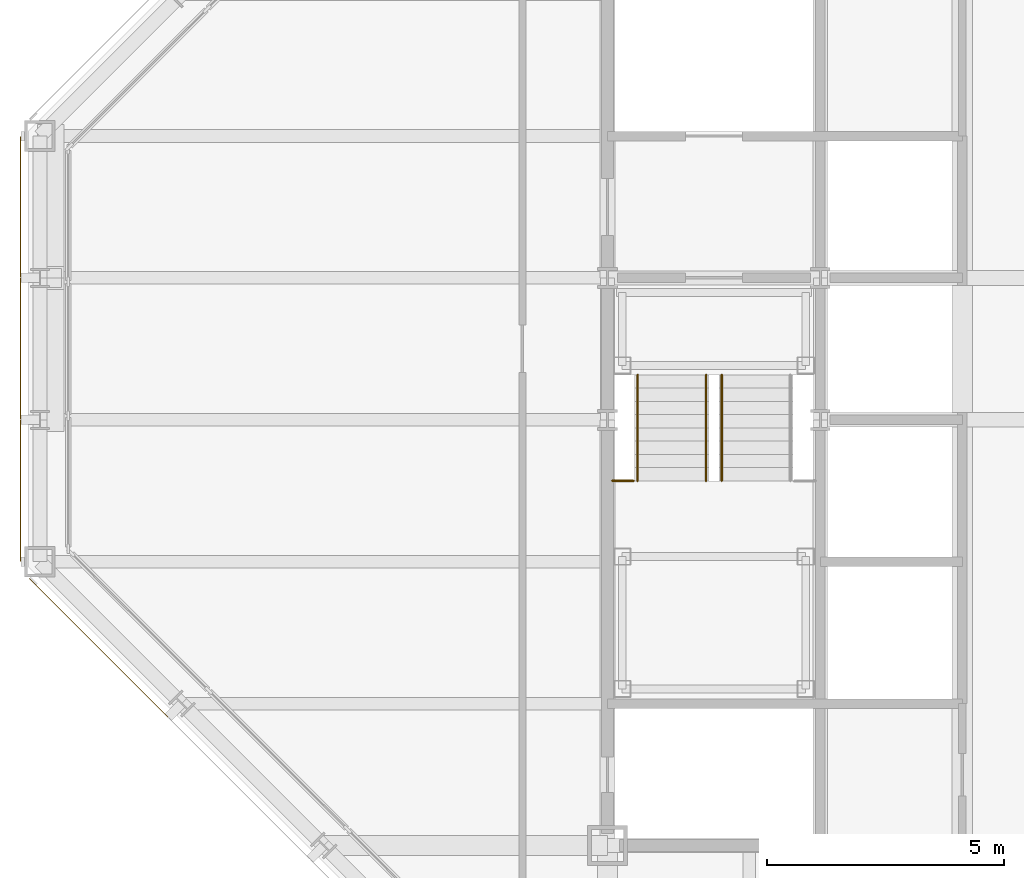
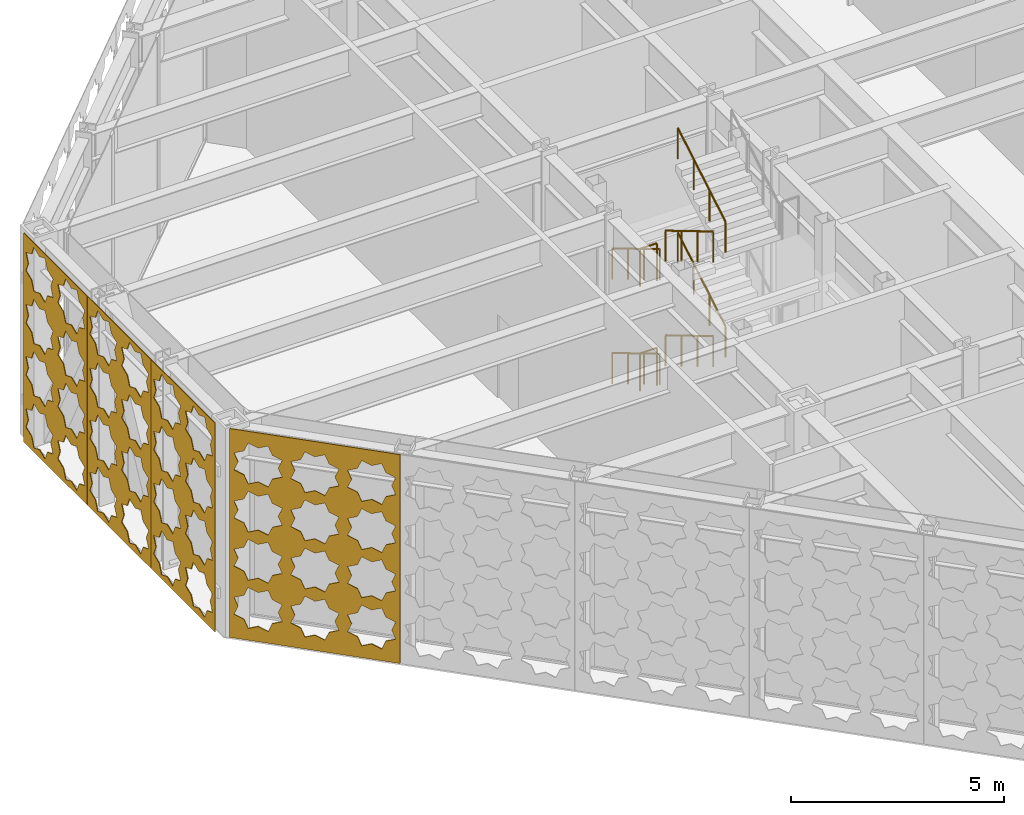
# One storey, part 22 of 28: 8 railings, 4 coverings.
"""IFC4 building model written with IfcOpenShell, lengths in metres."""

from ifc_helpers import new_model, si_unit, direction, frame, origin, origin_2d, place, context, subcontext, project, spatial, polyline, circle, outline, extrude, material, layer, layer_set, type_object, element, save


model = new_model("IFC4")

# Units and contexts
model_context = context("Model", 3, precision=1e-05, world=origin(), true_north=direction((0.0, 1.0)))
body_context = subcontext(model_context, "Body", "Model", "MODEL_VIEW")
ifc_project = project(units=[si_unit("LENGTHUNIT", "METRE"), si_unit("AREAUNIT", "SQUARE_METRE"), si_unit("VOLUMEUNIT", "CUBIC_METRE"), si_unit("PLANEANGLEUNIT", "RADIAN"), si_unit("MASSUNIT", "GRAM", prefix="KILO")], contexts=[model_context])

# Site, building, storey
site_placement = place(None, origin())
site = spatial("IfcSite", under=ifc_project, at=site_placement, CompositionType="ELEMENT")
building_placement = place(site_placement, origin())
building = spatial("IfcBuilding", under=site, at=building_placement, Name="Chuquiago Exchange Tower", CompositionType="ELEMENT")
storey_placement = place(building_placement, frame((0.0, 0.0, 300.0)))
storey = spatial("IfcBuildingStorey", under=building, at=storey_placement, Name="L67", CompositionType="ELEMENT", Elevation=300.0)

# Coverings
ifc_material_1 = material(Name="Anodised aluminium, pale", Category="aluminium")
ifc_layer_1 = layer(ifc_material_1, 0.02001953125)
ifc_layer_set_1 = layer_set([ifc_layer_1], Name="GC3 girih cladding panel 20")
covering_type_1 = type_object("IfcCoveringType", Name="GC3 girih cladding panel 20", PredefinedType="CLADDING", material=ifc_layer_set_1)
covering_1_placement = place(storey_placement, frame((-0.39990234375, 26.9951171875, 0.0048828125), z_axis=(0.0, 0.0, 1.0), x_axis=(0.0, -1.0, 0.0)))
element("IfcCovering", 1, at=covering_1_placement, inside=storey, type_object=covering_type_1, Name="Girih cladding panel L67 W 1", PredefinedType="CLADDING", context=body_context, shape_type="SweptSolid", body=[
    extrude(outline(polyline([(0.0, 0.0), (2.989990234375, 0.0), (2.989990234375, 5.990234375), (0.0, 5.990234375), (0.0, 0.0)]), holes=[polyline([(1.27392578125, 0.752685546875), (1.3828125, 1.015869140625), (1.11962890625, 1.124755859375), (1.0107421875, 1.387939453125), (0.74755859375, 1.279052734375), (0.484375, 1.387939453125), (0.375244140625, 1.124755859375), (0.112060546875, 1.015869140625), (0.22119140625, 0.752685546875), (0.112060546875, 0.489501953125), (0.375244140625, 0.38037109375), (0.484375, 0.1171875), (0.74755859375, 0.226318359375), (1.0107421875, 0.1171875), (1.11962890625, 0.38037109375), (1.3828125, 0.489501953125), (1.27392578125, 0.752685546875)]), polyline([(2.768798828125, 0.752685546875), (2.8779296875, 1.015869140625), (2.61474609375, 1.124755859375), (2.505615234375, 1.387939453125), (2.242431640625, 1.279052734375), (1.979248046875, 1.387939453125), (1.870361328125, 1.124755859375), (1.607177734375, 1.015869140625), (1.716064453125, 0.752685546875), (1.607177734375, 0.489501953125), (1.870361328125, 0.38037109375), (1.979248046875, 0.1171875), (2.242431640625, 0.226318359375), (2.505615234375, 0.1171875), (2.61474609375, 0.38037109375), (2.8779296875, 0.489501953125), (2.768798828125, 0.752685546875)]), polyline([(1.27392578125, 2.24755859375), (1.3828125, 2.5107421875), (1.11962890625, 2.619873046875), (1.0107421875, 2.883056640625), (0.74755859375, 2.77392578125), (0.484375, 2.883056640625), (0.375244140625, 2.619873046875), (0.112060546875, 2.5107421875), (0.22119140625, 2.24755859375), (0.112060546875, 1.984375), (0.375244140625, 1.87548828125), (0.484375, 1.6123046875), (0.74755859375, 1.72119140625), (1.0107421875, 1.6123046875), (1.11962890625, 1.87548828125), (1.3828125, 1.984375), (1.27392578125, 2.24755859375)]), polyline([(2.768798828125, 2.24755859375), (2.8779296875, 2.5107421875), (2.61474609375, 2.619873046875), (2.505615234375, 2.883056640625), (2.242431640625, 2.77392578125), (1.979248046875, 2.883056640625), (1.870361328125, 2.619873046875), (1.607177734375, 2.5107421875), (1.716064453125, 2.24755859375), (1.607177734375, 1.984375), (1.870361328125, 1.87548828125), (1.979248046875, 1.6123046875), (2.242431640625, 1.72119140625), (2.505615234375, 1.6123046875), (2.61474609375, 1.87548828125), (2.8779296875, 1.984375), (2.768798828125, 2.24755859375)]), polyline([(1.27392578125, 3.74267578125), (1.3828125, 4.005859375), (1.11962890625, 4.11474609375), (1.0107421875, 4.3779296875), (0.74755859375, 4.26904296875), (0.484375, 4.3779296875), (0.375244140625, 4.11474609375), (0.112060546875, 4.005859375), (0.22119140625, 3.74267578125), (0.112060546875, 3.4794921875), (0.375244140625, 3.370361328125), (0.484375, 3.107177734375), (0.74755859375, 3.21630859375), (1.0107421875, 3.107177734375), (1.11962890625, 3.370361328125), (1.3828125, 3.4794921875), (1.27392578125, 3.74267578125)]), polyline([(2.768798828125, 3.74267578125), (2.8779296875, 4.005859375), (2.61474609375, 4.11474609375), (2.505615234375, 4.3779296875), (2.242431640625, 4.26904296875), (1.979248046875, 4.3779296875), (1.870361328125, 4.11474609375), (1.607177734375, 4.005859375), (1.716064453125, 3.74267578125), (1.607177734375, 3.4794921875), (1.870361328125, 3.370361328125), (1.979248046875, 3.107177734375), (2.242431640625, 3.21630859375), (2.505615234375, 3.107177734375), (2.61474609375, 3.370361328125), (2.8779296875, 3.4794921875), (2.768798828125, 3.74267578125)]), polyline([(1.27392578125, 5.237548828125), (1.3828125, 5.500732421875), (1.11962890625, 5.60986328125), (1.0107421875, 5.873046875), (0.74755859375, 5.763916015625), (0.484375, 5.873046875), (0.375244140625, 5.60986328125), (0.112060546875, 5.500732421875), (0.22119140625, 5.237548828125), (0.112060546875, 4.974365234375), (0.375244140625, 4.865478515625), (0.484375, 4.602294921875), (0.74755859375, 4.711181640625), (1.0107421875, 4.602294921875), (1.11962890625, 4.865478515625), (1.3828125, 4.974365234375), (1.27392578125, 5.237548828125)]), polyline([(2.768798828125, 5.237548828125), (2.8779296875, 5.500732421875), (2.61474609375, 5.60986328125), (2.505615234375, 5.873046875), (2.242431640625, 5.763916015625), (1.979248046875, 5.873046875), (1.870361328125, 5.60986328125), (1.607177734375, 5.500732421875), (1.716064453125, 5.237548828125), (1.607177734375, 4.974365234375), (1.870361328125, 4.865478515625), (1.979248046875, 4.602294921875), (2.242431640625, 4.711181640625), (2.505615234375, 4.602294921875), (2.61474609375, 4.865478515625), (2.8779296875, 4.974365234375), (2.768798828125, 5.237548828125)])]), frame((0.0, 0.0, 0.0), z_axis=(0.0, -1.0, 0.0), x_axis=(1.0, 0.0, 0.0)), (0.0, 0.0, 1.0), 0.02001953125),
])
covering_2_placement = place(storey_placement, frame((-0.39990234375, 23.9951171875, 0.0048828125), z_axis=(0.0, 0.0, 1.0), x_axis=(0.0, -1.0, 0.0)))
element("IfcCovering", 2, at=covering_2_placement, inside=storey, type_object=covering_type_1, Name="Girih cladding panel L67 W 2", PredefinedType="CLADDING", context=body_context, shape_type="SweptSolid", body=[
    extrude(outline(polyline([(0.0, 0.0), (2.989990234375, 0.0), (2.989990234375, 5.990234375), (0.0, 5.990234375), (0.0, 0.0)]), holes=[polyline([(1.27392578125, 0.752685546875), (1.3828125, 1.015869140625), (1.11962890625, 1.124755859375), (1.0107421875, 1.387939453125), (0.74755859375, 1.279052734375), (0.484375, 1.387939453125), (0.375244140625, 1.124755859375), (0.112060546875, 1.015869140625), (0.22119140625, 0.752685546875), (0.112060546875, 0.489501953125), (0.375244140625, 0.38037109375), (0.484375, 0.1171875), (0.74755859375, 0.226318359375), (1.0107421875, 0.1171875), (1.11962890625, 0.38037109375), (1.3828125, 0.489501953125), (1.27392578125, 0.752685546875)]), polyline([(2.768798828125, 0.752685546875), (2.8779296875, 1.015869140625), (2.61474609375, 1.124755859375), (2.505615234375, 1.387939453125), (2.242431640625, 1.279052734375), (1.979248046875, 1.387939453125), (1.870361328125, 1.124755859375), (1.607177734375, 1.015869140625), (1.716064453125, 0.752685546875), (1.607177734375, 0.489501953125), (1.870361328125, 0.38037109375), (1.979248046875, 0.1171875), (2.242431640625, 0.226318359375), (2.505615234375, 0.1171875), (2.61474609375, 0.38037109375), (2.8779296875, 0.489501953125), (2.768798828125, 0.752685546875)]), polyline([(1.27392578125, 2.24755859375), (1.3828125, 2.5107421875), (1.11962890625, 2.619873046875), (1.0107421875, 2.883056640625), (0.74755859375, 2.77392578125), (0.484375, 2.883056640625), (0.375244140625, 2.619873046875), (0.112060546875, 2.5107421875), (0.22119140625, 2.24755859375), (0.112060546875, 1.984375), (0.375244140625, 1.87548828125), (0.484375, 1.6123046875), (0.74755859375, 1.72119140625), (1.0107421875, 1.6123046875), (1.11962890625, 1.87548828125), (1.3828125, 1.984375), (1.27392578125, 2.24755859375)]), polyline([(2.768798828125, 2.24755859375), (2.8779296875, 2.5107421875), (2.61474609375, 2.619873046875), (2.505615234375, 2.883056640625), (2.242431640625, 2.77392578125), (1.979248046875, 2.883056640625), (1.870361328125, 2.619873046875), (1.607177734375, 2.5107421875), (1.716064453125, 2.24755859375), (1.607177734375, 1.984375), (1.870361328125, 1.87548828125), (1.979248046875, 1.6123046875), (2.242431640625, 1.72119140625), (2.505615234375, 1.6123046875), (2.61474609375, 1.87548828125), (2.8779296875, 1.984375), (2.768798828125, 2.24755859375)]), polyline([(1.27392578125, 3.74267578125), (1.3828125, 4.005859375), (1.11962890625, 4.11474609375), (1.0107421875, 4.3779296875), (0.74755859375, 4.26904296875), (0.484375, 4.3779296875), (0.375244140625, 4.11474609375), (0.112060546875, 4.005859375), (0.22119140625, 3.74267578125), (0.112060546875, 3.4794921875), (0.375244140625, 3.370361328125), (0.484375, 3.107177734375), (0.74755859375, 3.21630859375), (1.0107421875, 3.107177734375), (1.11962890625, 3.370361328125), (1.3828125, 3.4794921875), (1.27392578125, 3.74267578125)]), polyline([(2.768798828125, 3.74267578125), (2.8779296875, 4.005859375), (2.61474609375, 4.11474609375), (2.505615234375, 4.3779296875), (2.242431640625, 4.26904296875), (1.979248046875, 4.3779296875), (1.870361328125, 4.11474609375), (1.607177734375, 4.005859375), (1.716064453125, 3.74267578125), (1.607177734375, 3.4794921875), (1.870361328125, 3.370361328125), (1.979248046875, 3.107177734375), (2.242431640625, 3.21630859375), (2.505615234375, 3.107177734375), (2.61474609375, 3.370361328125), (2.8779296875, 3.4794921875), (2.768798828125, 3.74267578125)]), polyline([(1.27392578125, 5.237548828125), (1.3828125, 5.500732421875), (1.11962890625, 5.60986328125), (1.0107421875, 5.873046875), (0.74755859375, 5.763916015625), (0.484375, 5.873046875), (0.375244140625, 5.60986328125), (0.112060546875, 5.500732421875), (0.22119140625, 5.237548828125), (0.112060546875, 4.974365234375), (0.375244140625, 4.865478515625), (0.484375, 4.602294921875), (0.74755859375, 4.711181640625), (1.0107421875, 4.602294921875), (1.11962890625, 4.865478515625), (1.3828125, 4.974365234375), (1.27392578125, 5.237548828125)]), polyline([(2.768798828125, 5.237548828125), (2.8779296875, 5.500732421875), (2.61474609375, 5.60986328125), (2.505615234375, 5.873046875), (2.242431640625, 5.763916015625), (1.979248046875, 5.873046875), (1.870361328125, 5.60986328125), (1.607177734375, 5.500732421875), (1.716064453125, 5.237548828125), (1.607177734375, 4.974365234375), (1.870361328125, 4.865478515625), (1.979248046875, 4.602294921875), (2.242431640625, 4.711181640625), (2.505615234375, 4.602294921875), (2.61474609375, 4.865478515625), (2.8779296875, 4.974365234375), (2.768798828125, 5.237548828125)])]), frame((0.0, 0.0, 0.0), z_axis=(0.0, -1.0, 0.0), x_axis=(1.0, 0.0, 0.0)), (0.0, 0.0, 1.0), 0.02001953125),
])
covering_3_placement = place(storey_placement, frame((-0.39990234375, 20.9951171875, 0.0048828125), z_axis=(0.0, 0.0, 1.0), x_axis=(0.0, -1.0, 0.0)))
element("IfcCovering", 3, at=covering_3_placement, inside=storey, type_object=covering_type_1, Name="Girih cladding panel L67 W 3", PredefinedType="CLADDING", context=body_context, shape_type="SweptSolid", body=[
    extrude(outline(polyline([(0.0, 0.0), (2.989990234375, 0.0), (2.989990234375, 5.990234375), (0.0, 5.990234375), (0.0, 0.0)]), holes=[polyline([(1.27392578125, 0.752685546875), (1.3828125, 1.015869140625), (1.11962890625, 1.124755859375), (1.0107421875, 1.387939453125), (0.74755859375, 1.279052734375), (0.484375, 1.387939453125), (0.375244140625, 1.124755859375), (0.112060546875, 1.015869140625), (0.22119140625, 0.752685546875), (0.112060546875, 0.489501953125), (0.375244140625, 0.38037109375), (0.484375, 0.1171875), (0.74755859375, 0.226318359375), (1.0107421875, 0.1171875), (1.11962890625, 0.38037109375), (1.3828125, 0.489501953125), (1.27392578125, 0.752685546875)]), polyline([(2.768798828125, 0.752685546875), (2.8779296875, 1.015869140625), (2.61474609375, 1.124755859375), (2.505615234375, 1.387939453125), (2.242431640625, 1.279052734375), (1.979248046875, 1.387939453125), (1.870361328125, 1.124755859375), (1.607177734375, 1.015869140625), (1.716064453125, 0.752685546875), (1.607177734375, 0.489501953125), (1.870361328125, 0.38037109375), (1.979248046875, 0.1171875), (2.242431640625, 0.226318359375), (2.505615234375, 0.1171875), (2.61474609375, 0.38037109375), (2.8779296875, 0.489501953125), (2.768798828125, 0.752685546875)]), polyline([(1.27392578125, 2.24755859375), (1.3828125, 2.5107421875), (1.11962890625, 2.619873046875), (1.0107421875, 2.883056640625), (0.74755859375, 2.77392578125), (0.484375, 2.883056640625), (0.375244140625, 2.619873046875), (0.112060546875, 2.5107421875), (0.22119140625, 2.24755859375), (0.112060546875, 1.984375), (0.375244140625, 1.87548828125), (0.484375, 1.6123046875), (0.74755859375, 1.72119140625), (1.0107421875, 1.6123046875), (1.11962890625, 1.87548828125), (1.3828125, 1.984375), (1.27392578125, 2.24755859375)]), polyline([(2.768798828125, 2.24755859375), (2.8779296875, 2.5107421875), (2.61474609375, 2.619873046875), (2.505615234375, 2.883056640625), (2.242431640625, 2.77392578125), (1.979248046875, 2.883056640625), (1.870361328125, 2.619873046875), (1.607177734375, 2.5107421875), (1.716064453125, 2.24755859375), (1.607177734375, 1.984375), (1.870361328125, 1.87548828125), (1.979248046875, 1.6123046875), (2.242431640625, 1.72119140625), (2.505615234375, 1.6123046875), (2.61474609375, 1.87548828125), (2.8779296875, 1.984375), (2.768798828125, 2.24755859375)]), polyline([(1.27392578125, 3.74267578125), (1.3828125, 4.005859375), (1.11962890625, 4.11474609375), (1.0107421875, 4.3779296875), (0.74755859375, 4.26904296875), (0.484375, 4.3779296875), (0.375244140625, 4.11474609375), (0.112060546875, 4.005859375), (0.22119140625, 3.74267578125), (0.112060546875, 3.4794921875), (0.375244140625, 3.370361328125), (0.484375, 3.107177734375), (0.74755859375, 3.21630859375), (1.0107421875, 3.107177734375), (1.11962890625, 3.370361328125), (1.3828125, 3.4794921875), (1.27392578125, 3.74267578125)]), polyline([(2.768798828125, 3.74267578125), (2.8779296875, 4.005859375), (2.61474609375, 4.11474609375), (2.505615234375, 4.3779296875), (2.242431640625, 4.26904296875), (1.979248046875, 4.3779296875), (1.870361328125, 4.11474609375), (1.607177734375, 4.005859375), (1.716064453125, 3.74267578125), (1.607177734375, 3.4794921875), (1.870361328125, 3.370361328125), (1.979248046875, 3.107177734375), (2.242431640625, 3.21630859375), (2.505615234375, 3.107177734375), (2.61474609375, 3.370361328125), (2.8779296875, 3.4794921875), (2.768798828125, 3.74267578125)]), polyline([(1.27392578125, 5.237548828125), (1.3828125, 5.500732421875), (1.11962890625, 5.60986328125), (1.0107421875, 5.873046875), (0.74755859375, 5.763916015625), (0.484375, 5.873046875), (0.375244140625, 5.60986328125), (0.112060546875, 5.500732421875), (0.22119140625, 5.237548828125), (0.112060546875, 4.974365234375), (0.375244140625, 4.865478515625), (0.484375, 4.602294921875), (0.74755859375, 4.711181640625), (1.0107421875, 4.602294921875), (1.11962890625, 4.865478515625), (1.3828125, 4.974365234375), (1.27392578125, 5.237548828125)]), polyline([(2.768798828125, 5.237548828125), (2.8779296875, 5.500732421875), (2.61474609375, 5.60986328125), (2.505615234375, 5.873046875), (2.242431640625, 5.763916015625), (1.979248046875, 5.873046875), (1.870361328125, 5.60986328125), (1.607177734375, 5.500732421875), (1.716064453125, 5.237548828125), (1.607177734375, 4.974365234375), (1.870361328125, 4.865478515625), (1.979248046875, 4.602294921875), (2.242431640625, 4.711181640625), (2.505615234375, 4.602294921875), (2.61474609375, 4.865478515625), (2.8779296875, 4.974365234375), (2.768798828125, 5.237548828125)])]), frame((0.0, 0.0, 0.0), z_axis=(0.0, -1.0, 0.0), x_axis=(1.0, 0.0, 0.0)), (0.0, 0.0, 1.0), 0.02001953125),
])
ifc_material_2 = material(Name="Anodised aluminium, pale", Category="aluminium")
ifc_layer_2 = layer(ifc_material_2, 0.02001953125)
ifc_layer_set_2 = layer_set([ifc_layer_2], Name="GC7 girih cladding panel 20")
covering_type_2 = type_object("IfcCoveringType", Name="GC7 girih cladding panel 20", PredefinedType="CLADDING", material=ifc_layer_set_2)
covering_4_placement = place(storey_placement, frame((-0.2158203125, 17.64990234375, 0.0048828125), z_axis=(0.0, 0.0, 1.0), x_axis=(0.707106781187, -0.707106781187, 0.0)))
element("IfcCovering", 4, at=covering_4_placement, inside=storey, type_object=covering_type_2, Name="Girih cladding panel L67 SW 1", PredefinedType="CLADDING", context=body_context, shape_type="SweptSolid", body=[
    extrude(outline(polyline([(0.0, 0.0), (4.142578125, 0.0), (4.142578125, 5.990234375), (0.0, 5.990234375), (0.0, 0.0)]), holes=[polyline([(1.176513671875, 0.923828125), (1.27734375, 1.166748046875), (1.0341796875, 1.267578125), (0.93359375, 1.510498046875), (0.6904296875, 1.409912109375), (0.447509765625, 1.510498046875), (0.3466796875, 1.267578125), (0.103515625, 1.166748046875), (0.204345703125, 0.923828125), (0.103515625, 0.6806640625), (0.3466796875, 0.580078125), (0.447509765625, 0.3369140625), (0.6904296875, 0.4375), (0.93359375, 0.3369140625), (1.0341796875, 0.580078125), (1.27734375, 0.6806640625), (1.176513671875, 0.923828125)]), polyline([(2.5576171875, 0.923828125), (2.658203125, 1.166748046875), (2.4150390625, 1.267578125), (2.314453125, 1.510498046875), (2.0712890625, 1.409912109375), (1.828369140625, 1.510498046875), (1.7275390625, 1.267578125), (1.484619140625, 1.166748046875), (1.585205078125, 0.923828125), (1.484619140625, 0.6806640625), (1.7275390625, 0.580078125), (1.828369140625, 0.3369140625), (2.0712890625, 0.4375), (2.314453125, 0.3369140625), (2.4150390625, 0.580078125), (2.658203125, 0.6806640625), (2.5576171875, 0.923828125)]), polyline([(3.9384765625, 0.923828125), (4.0390625, 1.166748046875), (3.7958984375, 1.267578125), (3.6953125, 1.510498046875), (3.452392578125, 1.409912109375), (3.209228515625, 1.510498046875), (3.1083984375, 1.267578125), (2.865478515625, 1.166748046875), (2.966064453125, 0.923828125), (2.865478515625, 0.6806640625), (3.1083984375, 0.580078125), (3.209228515625, 0.3369140625), (3.452392578125, 0.4375), (3.6953125, 0.3369140625), (3.7958984375, 0.580078125), (4.0390625, 0.6806640625), (3.9384765625, 0.923828125)]), polyline([(1.176513671875, 2.3046875), (1.27734375, 2.547607421875), (1.0341796875, 2.6484375), (0.93359375, 2.8916015625), (0.6904296875, 2.790771484375), (0.447509765625, 2.8916015625), (0.3466796875, 2.6484375), (0.103515625, 2.547607421875), (0.204345703125, 2.3046875), (0.103515625, 2.0615234375), (0.3466796875, 1.9609375), (0.447509765625, 1.7177734375), (0.6904296875, 1.818603515625), (0.93359375, 1.7177734375), (1.0341796875, 1.9609375), (1.27734375, 2.0615234375), (1.176513671875, 2.3046875)]), polyline([(2.5576171875, 2.3046875), (2.658203125, 2.547607421875), (2.4150390625, 2.6484375), (2.314453125, 2.8916015625), (2.0712890625, 2.790771484375), (1.828369140625, 2.8916015625), (1.7275390625, 2.6484375), (1.484619140625, 2.547607421875), (1.585205078125, 2.3046875), (1.484619140625, 2.0615234375), (1.7275390625, 1.9609375), (1.828369140625, 1.7177734375), (2.0712890625, 1.818603515625), (2.314453125, 1.7177734375), (2.4150390625, 1.9609375), (2.658203125, 2.0615234375), (2.5576171875, 2.3046875)]), polyline([(3.9384765625, 2.3046875), (4.0390625, 2.547607421875), (3.7958984375, 2.6484375), (3.6953125, 2.8916015625), (3.452392578125, 2.790771484375), (3.209228515625, 2.8916015625), (3.1083984375, 2.6484375), (2.865478515625, 2.547607421875), (2.966064453125, 2.3046875), (2.865478515625, 2.0615234375), (3.1083984375, 1.9609375), (3.209228515625, 1.7177734375), (3.452392578125, 1.818603515625), (3.6953125, 1.7177734375), (3.7958984375, 1.9609375), (4.0390625, 2.0615234375), (3.9384765625, 2.3046875)]), polyline([(1.176513671875, 3.685546875), (1.27734375, 3.9287109375), (1.0341796875, 4.029296875), (0.93359375, 4.2724609375), (0.6904296875, 4.171630859375), (0.447509765625, 4.2724609375), (0.3466796875, 4.029296875), (0.103515625, 3.9287109375), (0.204345703125, 3.685546875), (0.103515625, 3.442626953125), (0.3466796875, 3.341796875), (0.447509765625, 3.0986328125), (0.6904296875, 3.199462890625), (0.93359375, 3.0986328125), (1.0341796875, 3.341796875), (1.27734375, 3.442626953125), (1.176513671875, 3.685546875)]), polyline([(2.5576171875, 3.685546875), (2.658203125, 3.9287109375), (2.4150390625, 4.029296875), (2.314453125, 4.2724609375), (2.0712890625, 4.171630859375), (1.828369140625, 4.2724609375), (1.7275390625, 4.029296875), (1.484619140625, 3.9287109375), (1.585205078125, 3.685546875), (1.484619140625, 3.442626953125), (1.7275390625, 3.341796875), (1.828369140625, 3.0986328125), (2.0712890625, 3.199462890625), (2.314453125, 3.0986328125), (2.4150390625, 3.341796875), (2.658203125, 3.442626953125), (2.5576171875, 3.685546875)]), polyline([(3.9384765625, 3.685546875), (4.0390625, 3.9287109375), (3.7958984375, 4.029296875), (3.6953125, 4.2724609375), (3.452392578125, 4.171630859375), (3.209228515625, 4.2724609375), (3.1083984375, 4.029296875), (2.865478515625, 3.9287109375), (2.966064453125, 3.685546875), (2.865478515625, 3.442626953125), (3.1083984375, 3.341796875), (3.209228515625, 3.0986328125), (3.452392578125, 3.199462890625), (3.6953125, 3.0986328125), (3.7958984375, 3.341796875), (4.0390625, 3.442626953125), (3.9384765625, 3.685546875)]), polyline([(1.176513671875, 5.06640625), (1.27734375, 5.3095703125), (1.0341796875, 5.41015625), (0.93359375, 5.6533203125), (0.6904296875, 5.552734375), (0.447509765625, 5.6533203125), (0.3466796875, 5.41015625), (0.103515625, 5.3095703125), (0.204345703125, 5.06640625), (0.103515625, 4.823486328125), (0.3466796875, 4.72265625), (0.447509765625, 4.479736328125), (0.6904296875, 4.580322265625), (0.93359375, 4.479736328125), (1.0341796875, 4.72265625), (1.27734375, 4.823486328125), (1.176513671875, 5.06640625)]), polyline([(2.5576171875, 5.06640625), (2.658203125, 5.3095703125), (2.4150390625, 5.41015625), (2.314453125, 5.6533203125), (2.0712890625, 5.552734375), (1.828369140625, 5.6533203125), (1.7275390625, 5.41015625), (1.484619140625, 5.3095703125), (1.585205078125, 5.06640625), (1.484619140625, 4.823486328125), (1.7275390625, 4.72265625), (1.828369140625, 4.479736328125), (2.0712890625, 4.580322265625), (2.314453125, 4.479736328125), (2.4150390625, 4.72265625), (2.658203125, 4.823486328125), (2.5576171875, 5.06640625)]), polyline([(3.9384765625, 5.06640625), (4.0390625, 5.3095703125), (3.7958984375, 5.41015625), (3.6953125, 5.6533203125), (3.452392578125, 5.552734375), (3.209228515625, 5.6533203125), (3.1083984375, 5.41015625), (2.865478515625, 5.3095703125), (2.966064453125, 5.06640625), (2.865478515625, 4.823486328125), (3.1083984375, 4.72265625), (3.209228515625, 4.479736328125), (3.452392578125, 4.580322265625), (3.6953125, 4.479736328125), (3.7958984375, 4.72265625), (4.0390625, 4.823486328125), (3.9384765625, 5.06640625)])]), frame((0.0, 0.0, 0.0), z_axis=(0.0, -1.0, 0.0), x_axis=(1.0, 0.0, 0.0)), (0.0, 0.0, 1.0), 0.02001953125),
])

# Railings
ifc_material_3 = material(Name="Pale metal guard with safety glass infill", Category="glass")
railing_type_1 = type_object("IfcRailingType", Name="GR1 guard 1100", PredefinedType="GUARDRAIL", material=ifc_material_3)
for number, where, name in (
    (5, (12.10009765625, 19.7099609375, 1.5), "Guard ST1 L67 landing 2"),
    (6, (12.10009765625, 19.7099609375, 4.5), "Guard ST1 L67 landing 4"),
):
    element("IfcRailing", number, at=place(storey_placement, frame(where)), inside=storey, type_object=railing_type_1, Name=name, PredefinedType="GUARDRAIL", context=body_context, shape_type="SweptSolid", body=[
        extrude(circle(Radius=0.02392578125, at=origin_2d()), frame((0.0, 0.0, 1.076171875), z_axis=(1.0, 0.0, 0.0), x_axis=(0.0, 1.0, 0.0)), (0.0, 0.0, 1.0), 0.454833984375),
        extrude(circle(Radius=0.02099609375, at=origin_2d()), origin(), (0.0, 0.0, 1.0), 1.052001953125),
        extrude(circle(Radius=0.02099609375, at=origin_2d()), frame((0.454833984375, 0.0, 0.0)), (0.0, 0.0, 1.0), 1.052001953125),
    ])
ifc_material_4 = material(Name="Pale metal handrail", Category="steel")
railing_type_2 = type_object("IfcRailingType", Name="HR1 handrail 900", PredefinedType="HANDRAIL", material=ifc_material_4)
for number, where, name in (
    (7, (12.635009765625, 21.949951171875, 0.166748046875), "Handrail ST1 L67 flight 1"),
    (8, (14.0849609375, 21.949951171875, 0.166748046875), "Handrail ST1 L67 flight 1"),
):
    element("IfcRailing", number, at=place(storey_placement, frame(where)), inside=storey, type_object=railing_type_2, Name=name, PredefinedType="HANDRAIL", context=body_context, shape_type="SweptSolid", body=[
        extrude(circle(Radius=0.02392578125, at=origin_2d()), frame((0.0, 0.0, 0.8759765625), z_axis=(0.0, -0.859305625298, 0.511462454469), x_axis=(1.0, 0.0, 0.0)), (0.0, 0.0, 1.0), 2.606689453125),
        extrude(circle(Radius=0.02099609375, at=origin_2d()), origin(), (0.0, 0.0, 1.0), 0.851806640625),
        extrude(circle(Radius=0.02099609375, at=origin_2d()), frame((0.0, -0.74658203125, 0.4443359375)), (0.0, 0.0, 1.0), 0.851806640625),
        extrude(circle(Radius=0.02099609375, at=origin_2d()), frame((0.0, -1.493408203125, 0.888916015625)), (0.0, 0.0, 1.0), 0.851806640625),
        extrude(circle(Radius=0.02099609375, at=origin_2d()), frame((0.0, -2.239990234375, 1.333251953125)), (0.0, 0.0, 1.0), 0.851806640625),
    ])
railing_1_placement = place(storey_placement, frame((14.4150390625, 19.7099609375, 1.666748046875)))
element("IfcRailing", 9, at=railing_1_placement, inside=storey, type_object=railing_type_2, Name="Handrail ST1 L67 flight 2", PredefinedType="HANDRAIL", context=body_context, shape_type="SweptSolid", body=[
    extrude(circle(Radius=0.02392578125, at=origin_2d()), frame((0.0, 0.0, 0.8759765625), z_axis=(0.0, 0.859305625298, 0.511462454469), x_axis=(-1.0, 0.0, 0.0)), (0.0, 0.0, 1.0), 2.606689453125),
    extrude(circle(Radius=0.02099609375, at=origin_2d()), origin(), (0.0, 0.0, 1.0), 0.851806640625),
    extrude(circle(Radius=0.02099609375, at=origin_2d()), frame((0.0, 0.74658203125, 0.4443359375)), (0.0, 0.0, 1.0), 0.851806640625),
    extrude(circle(Radius=0.02099609375, at=origin_2d()), frame((0.0, 1.493408203125, 0.888916015625)), (0.0, 0.0, 1.0), 0.851806640625),
    extrude(circle(Radius=0.02099609375, at=origin_2d()), frame((0.0, 2.239990234375, 1.333251953125)), (0.0, 0.0, 1.0), 0.851806640625),
])
for number, where, name in (
    (10, (12.635009765625, 21.949951171875, 3.166748046875), "Handrail ST1 L67 flight 3"),
    (11, (14.0849609375, 21.949951171875, 3.166748046875), "Handrail ST1 L67 flight 3"),
):
    element("IfcRailing", number, at=place(storey_placement, frame(where)), inside=storey, type_object=railing_type_2, Name=name, PredefinedType="HANDRAIL", context=body_context, shape_type="SweptSolid", body=[
        extrude(circle(Radius=0.02392578125, at=origin_2d()), frame((0.0, 0.0, 0.8759765625), z_axis=(0.0, -0.859305625298, 0.511462454469), x_axis=(1.0, 0.0, 0.0)), (0.0, 0.0, 1.0), 2.606689453125),
        extrude(circle(Radius=0.02099609375, at=origin_2d()), origin(), (0.0, 0.0, 1.0), 0.851806640625),
        extrude(circle(Radius=0.02099609375, at=origin_2d()), frame((0.0, -0.74658203125, 0.4443359375)), (0.0, 0.0, 1.0), 0.851806640625),
        extrude(circle(Radius=0.02099609375, at=origin_2d()), frame((0.0, -1.493408203125, 0.888916015625)), (0.0, 0.0, 1.0), 0.851806640625),
        extrude(circle(Radius=0.02099609375, at=origin_2d()), frame((0.0, -2.239990234375, 1.333251953125)), (0.0, 0.0, 1.0), 0.851806640625),
    ])
railing_2_placement = place(storey_placement, frame((14.4150390625, 19.7099609375, 4.666748046875)))
element("IfcRailing", 12, at=railing_2_placement, inside=storey, type_object=railing_type_2, Name="Handrail ST1 L67 flight 4", PredefinedType="HANDRAIL", context=body_context, shape_type="SweptSolid", body=[
    extrude(circle(Radius=0.02392578125, at=origin_2d()), frame((0.0, 0.0, 0.8759765625), z_axis=(0.0, 0.859305625298, 0.511462454469), x_axis=(-1.0, 0.0, 0.0)), (0.0, 0.0, 1.0), 2.606689453125),
    extrude(circle(Radius=0.02099609375, at=origin_2d()), origin(), (0.0, 0.0, 1.0), 0.851806640625),
    extrude(circle(Radius=0.02099609375, at=origin_2d()), frame((0.0, 0.74658203125, 0.4443359375)), (0.0, 0.0, 1.0), 0.851806640625),
    extrude(circle(Radius=0.02099609375, at=origin_2d()), frame((0.0, 1.493408203125, 0.888916015625)), (0.0, 0.0, 1.0), 0.851806640625),
    extrude(circle(Radius=0.02099609375, at=origin_2d()), frame((0.0, 2.239990234375, 1.333251953125)), (0.0, 0.0, 1.0), 0.851806640625),
])

save(model, "model.ifc")
